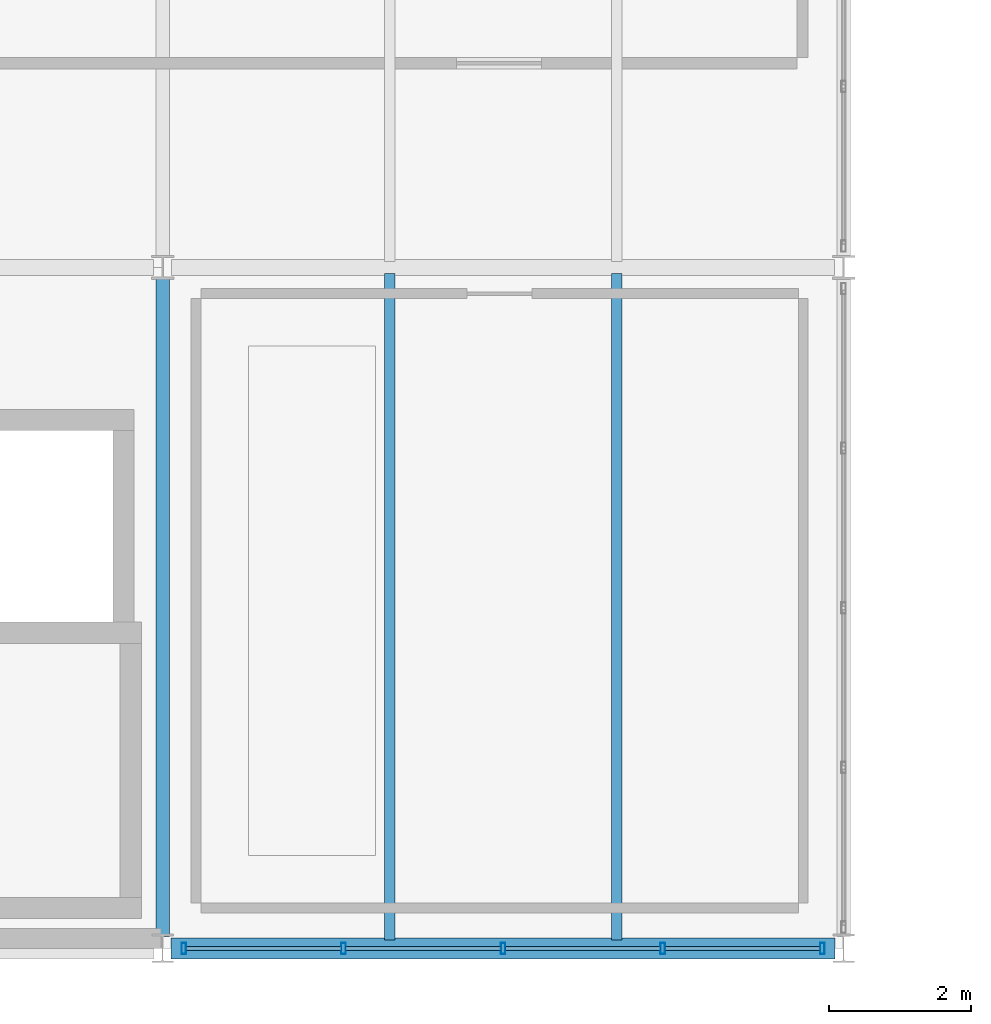
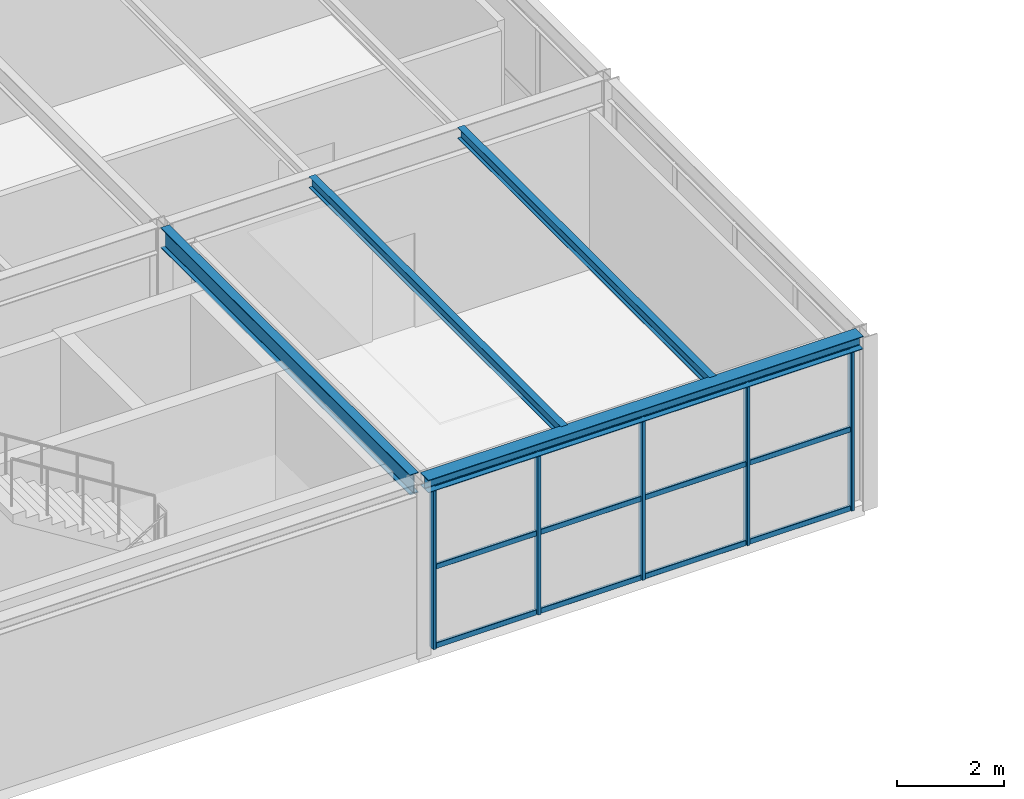
# One storey, part 48 of 126: 17 members, 4 beams, 1 element without a shape of its own.
"""IFC4 building model written with IfcOpenShell, lengths in metres."""

from ifc_helpers import new_model, si_unit, direction, frame, origin, origin_2d, place, context, subcontext, project, spatial, hollow_rectangle, i_section, extrude, material, material_profile, profile_set, type_object, element, aggregate, save


model = new_model("IFC4")

# Units and contexts
model_context = context("Model", 3, precision=1e-05, world=origin(), true_north=direction((0.0, 1.0)))
body_context = subcontext(model_context, "Body", "Model", "MODEL_VIEW")
ifc_project = project(units=[si_unit("LENGTHUNIT", "METRE"), si_unit("AREAUNIT", "SQUARE_METRE"), si_unit("VOLUMEUNIT", "CUBIC_METRE"), si_unit("PLANEANGLEUNIT", "RADIAN"), si_unit("MASSUNIT", "GRAM", prefix="KILO")], contexts=[model_context])

# Site, building, storey
site_placement = place(None, origin())
site = spatial("IfcSite", under=ifc_project, at=site_placement, CompositionType="ELEMENT")
building_placement = place(site_placement, origin())
building = spatial("IfcBuilding", under=site, at=building_placement, Name="Coralgate Yard Interchange", CompositionType="ELEMENT")
storey_placement = place(building_placement, frame((0.0, 0.0, 10.5)))
storey = spatial("IfcBuildingStorey", under=building, at=storey_placement, Name="L02", CompositionType="ELEMENT", Elevation=10.5)

# Beams
ifc_material_1 = material(Name="Structural steel S355J2", Category="steel")
ifc_material_profile_1 = material_profile(ifc_material_1, i_section(OverallWidth=0.1904296875, OverallDepth=0.45703125, WebThickness=0.009033203125, FlangeThickness=0.014404296875, FilletRadius=0.01025390625, at=origin_2d()), Name="UB 457x191x74")
ifc_profile_set_1 = profile_set([ifc_material_profile_1], Name="Structural steel S355J2")
beam_type_1 = type_object("IfcBeamType", Name="BM-SB-2", PredefinedType="BEAM", material=ifc_profile_set_1)
beam_1_placement = place(storey_placement, frame((86.39990234375, 0.169921875, 3.721435546875), z_axis=(0.0, 1.0, 0.0), x_axis=(-1.0, 0.0, 0.0)))
element("IfcBeam", 1, at=beam_1_placement, inside=storey, type_object=beam_type_1, Name="L02 primary grid girder X9 Y0-1", PredefinedType="BEAM", context=body_context, shape_type="SweptSolid", body=[
    extrude(i_section(OverallWidth=0.1904296875, OverallDepth=0.45703125, WebThickness=0.009033203125, FlangeThickness=0.014404296875, FilletRadius=0.01025390625, at=origin_2d()), origin(), (0.0, 0.0, 1.0), 9.2900390625),
])
ifc_material_profile_2 = material_profile(ifc_material_1, i_section(OverallWidth=0.14599609375, OverallDepth=0.25146484375, WebThickness=0.006103515625, FlangeThickness=0.008544921875, FilletRadius=0.007568359375, at=origin_2d()), Name="UB 254x146x31")
ifc_profile_set_2 = profile_set([ifc_material_profile_2], Name="Structural steel S355J2")
beam_type_2 = type_object("IfcBeamType", Name="BM-SJ-2", PredefinedType="JOIST", material=ifc_profile_set_2)
for number, where, z_axis, x_axis, name in (
    (2, (89.60009765625, 0.1201171875, 3.82421875), (0.0, 1.0, 0.0), (-1.0, 0.0, 0.0), "L02 composite floor joist 9-0-1"),
    (3, (92.800048828125, 0.1201171875, 3.82421875), (0.0, 1.0, 0.0), (-1.0, 0.0, 0.0), "L02 composite floor joist 9-0-2"),
):
    element("IfcBeam", number, at=place(storey_placement, frame(where, z_axis=z_axis, x_axis=x_axis)), inside=storey, type_object=beam_type_2, Name=name, PredefinedType="JOIST", context=body_context, shape_type="SweptSolid", body=[
        extrude(i_section(OverallWidth=0.14599609375, OverallDepth=0.25146484375, WebThickness=0.006103515625, FlangeThickness=0.008544921875, FilletRadius=0.007568359375, at=origin_2d()), origin(), (0.0, 0.0, 1.0), 9.395751953125),
    ])
ifc_material_profile_3 = material_profile(ifc_material_1, i_section(OverallWidth=0.300048828125, OverallDepth=0.2900390625, WebThickness=0.008544921875, FlangeThickness=0.013916015625, FilletRadius=0.027099609375, at=origin_2d()), Name="HEA 300")
ifc_profile_set_3 = profile_set([ifc_material_profile_3], Name="Structural steel S355J2")
beam_type_3 = type_object("IfcBeamType", Name="BM-SP-2", PredefinedType="SPANDREL", material=ifc_profile_set_3)
beam_2_placement = place(storey_placement, frame((86.52001953125, 0.0, 3.804931640625), z_axis=(1.0, 0.0, 0.0), x_axis=(0.0, 1.0, 0.0)))
element("IfcBeam", 4, at=beam_2_placement, inside=storey, type_object=beam_type_3, Name="L02 primary grid beam Y0 X9-10", PredefinedType="SPANDREL", context=body_context, shape_type="SweptSolid", body=[
    extrude(i_section(OverallWidth=0.300048828125, OverallDepth=0.2900390625, WebThickness=0.008544921875, FlangeThickness=0.013916015625, FilletRadius=0.027099609375, at=origin_2d()), origin(), (0.0, 0.0, 1.0), 9.35986328125),
])

# Curtain wall, members
ifc_material_2 = material(Name="Anodised coastal aluminium and solar-control low-E glass", Category="aluminium")
curtain_wall_type = type_object("IfcCurtainWallType", Name="CW-CW-L02-A", PredefinedType="NOTDEFINED", material=ifc_material_2)
curtain_wall_placement = place(storey_placement, origin())
curtain_wall = element("IfcCurtainWall", 5, at=curtain_wall_placement, inside=storey, type_object=curtain_wall_type, Name="L02 unitised curtain wall CW-L02-S-09-00", PredefinedType="NOTDEFINED")
ifc_material_3 = material(Name="Anodised coastal aluminium 6063-T6", Category="aluminium")
ifc_material_profile_4 = material_profile(ifc_material_3, hollow_rectangle(XDim=0.06494140625, YDim=0.159912109375, WallThickness=0.00390625, InnerFilletRadius=0.00390625, OuterFilletRadius=0.008056640625, at=origin_2d()), Name="ALU 65x160x4")
ifc_profile_set_4 = profile_set([ifc_material_profile_4], Name="Anodised coastal aluminium 6063-T6")
member_type_1 = type_object("IfcMemberType", Name="MB-MUL-160", PredefinedType="MULLION", material=ifc_profile_set_4)
member_1_placement = place(storey_placement, frame((95.699951171875, 0.0, 0.0), z_axis=(0.0, 0.0, 1.0), x_axis=(1.0, 0.0, 0.0)))
member_1 = element("IfcMember", 6, at=member_1_placement, type_object=member_type_1, Name="CW-L02-S-09-00 vertical mullion 1", PredefinedType="MULLION", context=body_context, shape_type="SweptSolid", body=[
    extrude(hollow_rectangle(XDim=0.06494140625, YDim=0.159912109375, WallThickness=0.00390625, InnerFilletRadius=0.00390625, OuterFilletRadius=0.008056640625, at=origin_2d()), origin(), (0.0, 0.0, 1.0), 3.659912109375),
])
member_2_placement = place(storey_placement, frame((93.449951171875, 0.0, 0.0), z_axis=(0.0, 0.0, 1.0), x_axis=(1.0, 0.0, 0.0)))
member_2 = element("IfcMember", 7, at=member_2_placement, type_object=member_type_1, Name="CW-L02-S-09-00 vertical mullion 2", PredefinedType="MULLION", context=body_context, shape_type="SweptSolid", body=[
    extrude(hollow_rectangle(XDim=0.06494140625, YDim=0.159912109375, WallThickness=0.00390625, InnerFilletRadius=0.00390625, OuterFilletRadius=0.008056640625, at=origin_2d()), origin(), (0.0, 0.0, 1.0), 3.659912109375),
])
member_3_placement = place(storey_placement, frame((91.199951171875, 0.0, 0.0), z_axis=(0.0, 0.0, 1.0), x_axis=(1.0, 0.0, 0.0)))
member_3 = element("IfcMember", 8, at=member_3_placement, type_object=member_type_1, Name="CW-L02-S-09-00 vertical mullion 3", PredefinedType="MULLION", context=body_context, shape_type="SweptSolid", body=[
    extrude(hollow_rectangle(XDim=0.06494140625, YDim=0.159912109375, WallThickness=0.00390625, InnerFilletRadius=0.00390625, OuterFilletRadius=0.008056640625, at=origin_2d()), origin(), (0.0, 0.0, 1.0), 3.659912109375),
])
member_4_placement = place(storey_placement, frame((88.949951171875, 0.0, 0.0), z_axis=(0.0, 0.0, 1.0), x_axis=(1.0, 0.0, 0.0)))
member_4 = element("IfcMember", 9, at=member_4_placement, type_object=member_type_1, Name="CW-L02-S-09-00 vertical mullion 4", PredefinedType="MULLION", context=body_context, shape_type="SweptSolid", body=[
    extrude(hollow_rectangle(XDim=0.06494140625, YDim=0.159912109375, WallThickness=0.00390625, InnerFilletRadius=0.00390625, OuterFilletRadius=0.008056640625, at=origin_2d()), origin(), (0.0, 0.0, 1.0), 3.659912109375),
])
member_5_placement = place(storey_placement, frame((86.699951171875, 0.0, 0.0), z_axis=(0.0, 0.0, 1.0), x_axis=(1.0, 0.0, 0.0)))
member_5 = element("IfcMember", 10, at=member_5_placement, type_object=member_type_1, Name="CW-L02-S-09-00 vertical mullion 5", PredefinedType="MULLION", context=body_context, shape_type="SweptSolid", body=[
    extrude(hollow_rectangle(XDim=0.06494140625, YDim=0.159912109375, WallThickness=0.00390625, InnerFilletRadius=0.00390625, OuterFilletRadius=0.008056640625, at=origin_2d()), origin(), (0.0, 0.0, 1.0), 3.659912109375),
])
ifc_material_profile_5 = material_profile(ifc_material_3, hollow_rectangle(XDim=0.06005859375, YDim=0.1201171875, WallThickness=0.00341796875, InnerFilletRadius=0.00341796875, OuterFilletRadius=0.007080078125, at=origin_2d()), Name="ALU 60x120x3.5")
ifc_profile_set_5 = profile_set([ifc_material_profile_5], Name="Anodised coastal aluminium 6063-T6")
member_type_2 = type_object("IfcMemberType", Name="MB-TRN-120", PredefinedType="USERDEFINED", material=ifc_profile_set_5)
member_6_placement = place(storey_placement, frame((95.669921875, 0.0, 0.034912109375), z_axis=(-1.0, 0.0, 0.0), x_axis=(0.0, -1.0, 0.0)))
member_6 = element("IfcMember", 11, at=member_6_placement, type_object=member_type_2, Name="CW-L02-S-09-00 horizontal transom 1-1", ObjectType="TRANSOM", PredefinedType="USERDEFINED", context=body_context, shape_type="SweptSolid", body=[
    extrude(hollow_rectangle(XDim=0.06005859375, YDim=0.1201171875, WallThickness=0.00341796875, InnerFilletRadius=0.00341796875, OuterFilletRadius=0.007080078125, at=origin_2d()), origin(), (0.0, 0.0, 1.0), 2.18994140625),
])
member_7_placement = place(storey_placement, frame((95.669921875, 0.0, 1.830078125), z_axis=(-1.0, 0.0, 0.0), x_axis=(0.0, -1.0, 0.0)))
member_7 = element("IfcMember", 12, at=member_7_placement, type_object=member_type_2, Name="CW-L02-S-09-00 horizontal transom 1-2", ObjectType="TRANSOM", PredefinedType="USERDEFINED", context=body_context, shape_type="SweptSolid", body=[
    extrude(hollow_rectangle(XDim=0.06005859375, YDim=0.1201171875, WallThickness=0.00341796875, InnerFilletRadius=0.00341796875, OuterFilletRadius=0.007080078125, at=origin_2d()), origin(), (0.0, 0.0, 1.0), 2.18994140625),
])
member_8_placement = place(storey_placement, frame((95.669921875, 0.0, 3.625), z_axis=(-1.0, 0.0, 0.0), x_axis=(0.0, -1.0, 0.0)))
member_8 = element("IfcMember", 13, at=member_8_placement, type_object=member_type_2, Name="CW-L02-S-09-00 horizontal transom 1-3", ObjectType="TRANSOM", PredefinedType="USERDEFINED", context=body_context, shape_type="SweptSolid", body=[
    extrude(hollow_rectangle(XDim=0.06005859375, YDim=0.1201171875, WallThickness=0.00341796875, InnerFilletRadius=0.00341796875, OuterFilletRadius=0.007080078125, at=origin_2d()), origin(), (0.0, 0.0, 1.0), 2.18994140625),
])
member_9_placement = place(storey_placement, frame((93.419921875, 0.0, 0.034912109375), z_axis=(-1.0, 0.0, 0.0), x_axis=(0.0, -1.0, 0.0)))
member_9 = element("IfcMember", 14, at=member_9_placement, type_object=member_type_2, Name="CW-L02-S-09-00 horizontal transom 2-1", ObjectType="TRANSOM", PredefinedType="USERDEFINED", context=body_context, shape_type="SweptSolid", body=[
    extrude(hollow_rectangle(XDim=0.06005859375, YDim=0.1201171875, WallThickness=0.00341796875, InnerFilletRadius=0.00341796875, OuterFilletRadius=0.007080078125, at=origin_2d()), origin(), (0.0, 0.0, 1.0), 2.18994140625),
])
member_10_placement = place(storey_placement, frame((93.419921875, 0.0, 1.830078125), z_axis=(-1.0, 0.0, 0.0), x_axis=(0.0, -1.0, 0.0)))
member_10 = element("IfcMember", 15, at=member_10_placement, type_object=member_type_2, Name="CW-L02-S-09-00 horizontal transom 2-2", ObjectType="TRANSOM", PredefinedType="USERDEFINED", context=body_context, shape_type="SweptSolid", body=[
    extrude(hollow_rectangle(XDim=0.06005859375, YDim=0.1201171875, WallThickness=0.00341796875, InnerFilletRadius=0.00341796875, OuterFilletRadius=0.007080078125, at=origin_2d()), origin(), (0.0, 0.0, 1.0), 2.18994140625),
])
member_11_placement = place(storey_placement, frame((93.419921875, 0.0, 3.625), z_axis=(-1.0, 0.0, 0.0), x_axis=(0.0, -1.0, 0.0)))
member_11 = element("IfcMember", 16, at=member_11_placement, type_object=member_type_2, Name="CW-L02-S-09-00 horizontal transom 2-3", ObjectType="TRANSOM", PredefinedType="USERDEFINED", context=body_context, shape_type="SweptSolid", body=[
    extrude(hollow_rectangle(XDim=0.06005859375, YDim=0.1201171875, WallThickness=0.00341796875, InnerFilletRadius=0.00341796875, OuterFilletRadius=0.007080078125, at=origin_2d()), origin(), (0.0, 0.0, 1.0), 2.18994140625),
])
member_12_placement = place(storey_placement, frame((91.169921875, 0.0, 0.034912109375), z_axis=(-1.0, 0.0, 0.0), x_axis=(0.0, -1.0, 0.0)))
member_12 = element("IfcMember", 17, at=member_12_placement, type_object=member_type_2, Name="CW-L02-S-09-00 horizontal transom 3-1", ObjectType="TRANSOM", PredefinedType="USERDEFINED", context=body_context, shape_type="SweptSolid", body=[
    extrude(hollow_rectangle(XDim=0.06005859375, YDim=0.1201171875, WallThickness=0.00341796875, InnerFilletRadius=0.00341796875, OuterFilletRadius=0.007080078125, at=origin_2d()), origin(), (0.0, 0.0, 1.0), 2.18994140625),
])
member_13_placement = place(storey_placement, frame((91.169921875, 0.0, 1.830078125), z_axis=(-1.0, 0.0, 0.0), x_axis=(0.0, -1.0, 0.0)))
member_13 = element("IfcMember", 18, at=member_13_placement, type_object=member_type_2, Name="CW-L02-S-09-00 horizontal transom 3-2", ObjectType="TRANSOM", PredefinedType="USERDEFINED", context=body_context, shape_type="SweptSolid", body=[
    extrude(hollow_rectangle(XDim=0.06005859375, YDim=0.1201171875, WallThickness=0.00341796875, InnerFilletRadius=0.00341796875, OuterFilletRadius=0.007080078125, at=origin_2d()), origin(), (0.0, 0.0, 1.0), 2.18994140625),
])
member_14_placement = place(storey_placement, frame((91.169921875, 0.0, 3.625), z_axis=(-1.0, 0.0, 0.0), x_axis=(0.0, -1.0, 0.0)))
member_14 = element("IfcMember", 19, at=member_14_placement, type_object=member_type_2, Name="CW-L02-S-09-00 horizontal transom 3-3", ObjectType="TRANSOM", PredefinedType="USERDEFINED", context=body_context, shape_type="SweptSolid", body=[
    extrude(hollow_rectangle(XDim=0.06005859375, YDim=0.1201171875, WallThickness=0.00341796875, InnerFilletRadius=0.00341796875, OuterFilletRadius=0.007080078125, at=origin_2d()), origin(), (0.0, 0.0, 1.0), 2.18994140625),
])
member_15_placement = place(storey_placement, frame((88.919921875, 0.0, 0.034912109375), z_axis=(-1.0, 0.0, 0.0), x_axis=(0.0, -1.0, 0.0)))
member_15 = element("IfcMember", 20, at=member_15_placement, type_object=member_type_2, Name="CW-L02-S-09-00 horizontal transom 4-1", ObjectType="TRANSOM", PredefinedType="USERDEFINED", context=body_context, shape_type="SweptSolid", body=[
    extrude(hollow_rectangle(XDim=0.06005859375, YDim=0.1201171875, WallThickness=0.00341796875, InnerFilletRadius=0.00341796875, OuterFilletRadius=0.007080078125, at=origin_2d()), origin(), (0.0, 0.0, 1.0), 2.18994140625),
])
member_16_placement = place(storey_placement, frame((88.919921875, 0.0, 1.830078125), z_axis=(-1.0, 0.0, 0.0), x_axis=(0.0, -1.0, 0.0)))
member_16 = element("IfcMember", 21, at=member_16_placement, type_object=member_type_2, Name="CW-L02-S-09-00 horizontal transom 4-2", ObjectType="TRANSOM", PredefinedType="USERDEFINED", context=body_context, shape_type="SweptSolid", body=[
    extrude(hollow_rectangle(XDim=0.06005859375, YDim=0.1201171875, WallThickness=0.00341796875, InnerFilletRadius=0.00341796875, OuterFilletRadius=0.007080078125, at=origin_2d()), origin(), (0.0, 0.0, 1.0), 2.18994140625),
])
member_17_placement = place(storey_placement, frame((88.919921875, 0.0, 3.625), z_axis=(-1.0, 0.0, 0.0), x_axis=(0.0, -1.0, 0.0)))
member_17 = element("IfcMember", 22, at=member_17_placement, type_object=member_type_2, Name="CW-L02-S-09-00 horizontal transom 4-3", ObjectType="TRANSOM", PredefinedType="USERDEFINED", context=body_context, shape_type="SweptSolid", body=[
    extrude(hollow_rectangle(XDim=0.06005859375, YDim=0.1201171875, WallThickness=0.00341796875, InnerFilletRadius=0.00341796875, OuterFilletRadius=0.007080078125, at=origin_2d()), origin(), (0.0, 0.0, 1.0), 2.18994140625),
])
aggregate(curtain_wall, [member_1, member_2, member_3, member_4, member_5, member_6, member_7, member_8, member_9, member_10, member_11, member_12, member_13, member_14, member_15, member_16, member_17])

save(model, "model.ifc")
